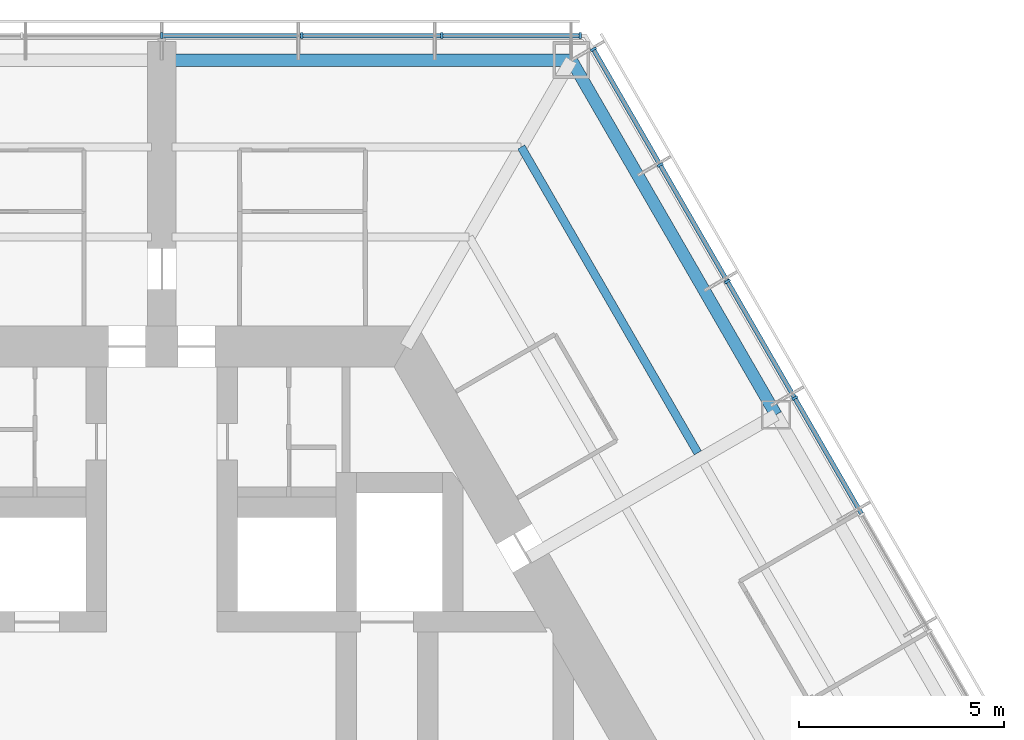
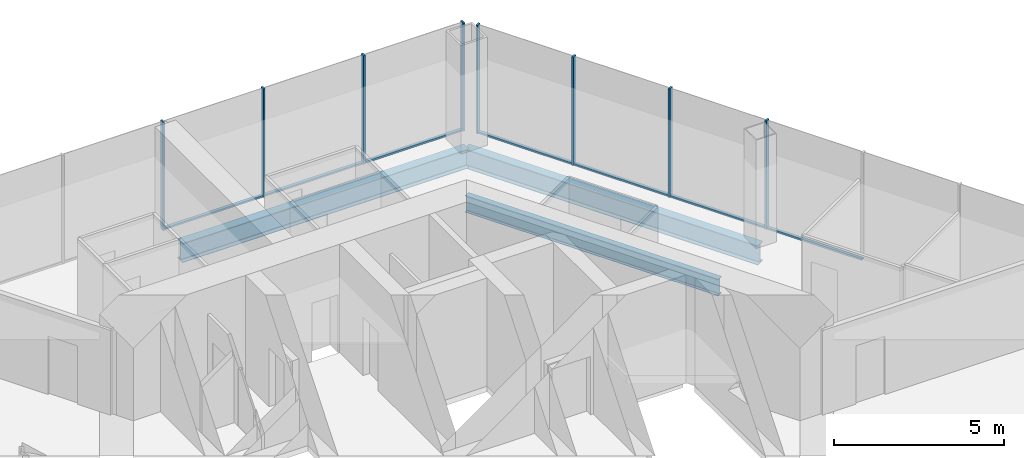
# One storey, part 8 of 18: 15 members, 3 beams, 2 elements without a shape of their own.
"""IFC4 building model written with IfcOpenShell, lengths in metres."""

from ifc_helpers import new_model, si_unit, direction, frame, origin, origin_2d, place, context, subcontext, project, spatial, rectangle, i_section, extrude, material, material_profile, profile_set, type_object, element, aggregate, save


model = new_model("IFC4")

# Units and contexts
model_context = context("Model", 3, precision=1e-05, world=origin(), true_north=direction((0.0, 1.0)))
body_context = subcontext(model_context, "Body", "Model", "MODEL_VIEW")
ifc_project = project(units=[si_unit("LENGTHUNIT", "METRE"), si_unit("AREAUNIT", "SQUARE_METRE"), si_unit("VOLUMEUNIT", "CUBIC_METRE"), si_unit("PLANEANGLEUNIT", "RADIAN"), si_unit("MASSUNIT", "GRAM", prefix="KILO")], contexts=[model_context])

# Site, building, storey
site_placement = place(None, origin())
site = spatial("IfcSite", under=ifc_project, at=site_placement, CompositionType="ELEMENT")
building_placement = place(site_placement, origin())
building = spatial("IfcBuilding", under=site, at=building_placement, Name="Kasaneha Research Tower", CompositionType="ELEMENT")
storey_placement = place(building_placement, frame((0.0, 0.0, 133.10009765625)))
storey = spatial("IfcBuildingStorey", under=building, at=storey_placement, Name="L33", CompositionType="ELEMENT", Elevation=133.10009765625)

# Beam
ifc_material_1 = material(Name="Steel SN490B", Category="steel")
ifc_material_profile_1 = material_profile(ifc_material_1, i_section(OverallWidth=0.199951171875, OverallDepth=0.60009765625, WebThickness=0.010986328125, FlangeThickness=0.01708984375, FilletRadius=0.012939453125, at=origin_2d()), Name="H-600x200x11x17")
ifc_profile_set_1 = profile_set([ifc_material_profile_1], Name="Steel SN490B")
beam_type_1 = type_object("IfcBeamType", Name="B1-3 secondary beam H-600x200x11x17", PredefinedType="JOIST", material=ifc_profile_set_1)
beam_1_placement = place(storey_placement, frame((8.775634765625, 15.199951171875, -0.4501953125), z_axis=(0.500017275495, -0.866015429543, 0.0), x_axis=(0.866015429543, 0.500017275495, 0.0)))
element("IfcBeam", 1, at=beam_1_placement, inside=storey, type_object=beam_type_1, Name="Secondary beam RS030R2 L33", PredefinedType="JOIST", context=body_context, shape_type="SweptSolid", body=[
    extrude(i_section(OverallWidth=0.199951171875, OverallDepth=0.60009765625, WebThickness=0.010986328125, FlangeThickness=0.01708984375, FilletRadius=0.012939453125, at=origin_2d()), origin(), (0.0, 0.0, 1.0), 8.625732421875),
])

# Curtain wall, members
ifc_material_2 = material(Name="Glass and aluminium", Category="aluminium")
curtain_wall_type = type_object("IfcCurtainWallType", Name="Mid-rise office curtain wall", PredefinedType="USERDEFINED", material=ifc_material_2)
curtain_wall_1_placement = place(storey_placement, origin())
curtain_wall_1 = element("IfcCurtainWall", 2, at=curtain_wall_1_placement, inside=storey, type_object=curtain_wall_type, Name="CW-O2 L33 run 06a", ObjectType="UNITISED CURTAIN WALL", PredefinedType="USERDEFINED")
ifc_material_3 = material(Name="Aluminium 6063-T6", Category="aluminium")
ifc_material_profile_2 = material_profile(ifc_material_3, rectangle(XDim=0.06005859375, YDim=0.14990234375, at=origin_2d()), Name="CW-O2 mullion 60x150")
ifc_profile_set_2 = profile_set([ifc_material_profile_2], Name="Aluminium 6063-T6")
member_type_1 = type_object("IfcMemberType", Name="CW-O2 mullion", PredefinedType="MULLION", material=ifc_profile_set_2)
member_1_placement = place(storey_placement, frame((15.45703125, 9.068603515625, 0.0), z_axis=(0.0, 0.0, 1.0), x_axis=(-0.499999979232, 0.866025415775, 0.0)))
member_1 = element("IfcMember", 3, at=member_1_placement, type_object=member_type_1, Name="CW-O2 mullion 4", PredefinedType="MULLION", context=body_context, shape_type="SweptSolid", body=[
    extrude(rectangle(XDim=0.06005859375, YDim=0.14990234375, at=origin_2d()), origin(), (0.0, 0.0, 1.0), 3.89990234375),
])
member_2_placement = place(storey_placement, frame((13.81298828125, 11.916015625, 0.0), z_axis=(0.0, 0.0, 1.0), x_axis=(-0.499999979232, 0.866025415775, 0.0)))
member_2 = element("IfcMember", 4, at=member_2_placement, type_object=member_type_1, Name="CW-O2 mullion 5", PredefinedType="MULLION", context=body_context, shape_type="SweptSolid", body=[
    extrude(rectangle(XDim=0.06005859375, YDim=0.14990234375, at=origin_2d()), origin(), (0.0, 0.0, 1.0), 3.89990234375),
])
member_3_placement = place(storey_placement, frame((12.1689453125, 14.763671875, 0.0), z_axis=(0.0, 0.0, 1.0), x_axis=(-0.499999979232, 0.866025415775, 0.0)))
member_3 = element("IfcMember", 5, at=member_3_placement, type_object=member_type_1, Name="CW-O2 mullion 6", PredefinedType="MULLION", context=body_context, shape_type="SweptSolid", body=[
    extrude(rectangle(XDim=0.06005859375, YDim=0.14990234375, at=origin_2d()), origin(), (0.0, 0.0, 1.0), 3.89990234375),
])
member_4_placement = place(storey_placement, frame((10.5400390625, 17.585205078125, 0.0), z_axis=(0.0, 0.0, 1.0), x_axis=(-0.499999979232, 0.866025415775, 0.0)))
member_4 = element("IfcMember", 6, at=member_4_placement, type_object=member_type_1, Name="CW-O2 mullion 7", PredefinedType="MULLION", context=body_context, shape_type="SweptSolid", body=[
    extrude(rectangle(XDim=0.06005859375, YDim=0.14990234375, at=origin_2d()), origin(), (0.0, 0.0, 1.0), 3.89990234375),
])

curtain_wall_2_placement = place(storey_placement, origin())
curtain_wall_2 = element("IfcCurtainWall", 7, at=curtain_wall_2_placement, inside=storey, type_object=curtain_wall_type, Name="CW-O2 L33 run 07a", ObjectType="UNITISED CURTAIN WALL", PredefinedType="USERDEFINED")
member_5_placement = place(storey_placement, frame((10.21630859375, 17.92041015625, 0.0), z_axis=(0.0, 0.0, 1.0), x_axis=(-1.0, 0.0, 0.0)))
member_5 = element("IfcMember", 8, at=member_5_placement, type_object=member_type_1, Name="CW-O2 mullion 1", PredefinedType="MULLION", context=body_context, shape_type="SweptSolid", body=[
    extrude(rectangle(XDim=0.06005859375, YDim=0.14990234375, at=origin_2d()), origin(), (0.0, 0.0, 1.0), 3.89990234375),
])
member_6_placement = place(storey_placement, frame((6.8310546875, 17.92041015625, 0.0), z_axis=(0.0, 0.0, 1.0), x_axis=(-1.0, 0.0, 0.0)))
member_6 = element("IfcMember", 9, at=member_6_placement, type_object=member_type_1, Name="CW-O2 mullion 2", PredefinedType="MULLION", context=body_context, shape_type="SweptSolid", body=[
    extrude(rectangle(XDim=0.06005859375, YDim=0.14990234375, at=origin_2d()), origin(), (0.0, 0.0, 1.0), 3.89990234375),
])
member_7_placement = place(storey_placement, frame((3.41552734375, 17.92041015625, 0.0), z_axis=(0.0, 0.0, 1.0), x_axis=(-1.0, 0.0, 0.0)))
member_7 = element("IfcMember", 10, at=member_7_placement, type_object=member_type_1, Name="CW-O2 mullion 3", PredefinedType="MULLION", context=body_context, shape_type="SweptSolid", body=[
    extrude(rectangle(XDim=0.06005859375, YDim=0.14990234375, at=origin_2d()), origin(), (0.0, 0.0, 1.0), 3.89990234375),
])
member_8_placement = place(storey_placement, frame((0.0, 17.92041015625, 0.0), z_axis=(0.0, 0.0, 1.0), x_axis=(-1.0, 0.0, 0.0)))
member_8 = element("IfcMember", 11, at=member_8_placement, type_object=member_type_1, Name="CW-O2 mullion 4", PredefinedType="MULLION", context=body_context, shape_type="SweptSolid", body=[
    extrude(rectangle(XDim=0.06005859375, YDim=0.14990234375, at=origin_2d()), origin(), (0.0, 0.0, 1.0), 3.89990234375),
])

# Member
ifc_material_4 = material(Name="Aluminium 6063-T6", Category="aluminium")
ifc_material_profile_3 = material_profile(ifc_material_4, rectangle(XDim=0.110107421875, YDim=0.06005859375, at=origin_2d()), Name="CW-O2 transom 110x60")
ifc_profile_set_3 = profile_set([ifc_material_profile_3], Name="Aluminium 6063-T6")
member_type_2 = type_object("IfcMemberType", Name="CW-O2 transom", PredefinedType="USERDEFINED", material=ifc_profile_set_3)
member_9_placement = place(storey_placement, frame((17.086181640625, 6.2470703125, 0.02978515625), z_axis=(-0.500019253631, 0.86601428741, 0.0), x_axis=(-0.86601428741, -0.500019253631, 0.0)))
member_9 = element("IfcMember", 12, at=member_9_placement, type_object=member_type_2, Name="CW-O2 transom 3", ObjectType="TRANSOM", PredefinedType="USERDEFINED", context=body_context, shape_type="SweptSolid", body=[
    extrude(rectangle(XDim=0.110107421875, YDim=0.06005859375, at=origin_2d()), origin(), (0.0, 0.0, 1.0), 3.227783203125),
])

member_10_placement = place(storey_placement, frame((15.442138671875, 9.094482421875, 0.02978515625), z_axis=(-0.499986503906, 0.866033195618, 0.0), x_axis=(-0.866033195618, -0.499986503906, 0.0)))
member_10 = element("IfcMember", 13, at=member_10_placement, type_object=member_type_2, Name="CW-O2 transom 4", ObjectType="TRANSOM", PredefinedType="USERDEFINED", context=body_context, shape_type="SweptSolid", body=[
    extrude(rectangle(XDim=0.110107421875, YDim=0.06005859375, at=origin_2d()), origin(), (0.0, 0.0, 1.0), 3.22802734375),
])

member_11_placement = place(storey_placement, frame((13.798095703125, 11.942138671875, 0.02978515625), z_axis=(-0.499986503906, 0.866033195618, 0.0), x_axis=(-0.866033195618, -0.499986503906, 0.0)))
member_11 = element("IfcMember", 14, at=member_11_placement, type_object=member_type_2, Name="CW-O2 transom 5", ObjectType="TRANSOM", PredefinedType="USERDEFINED", context=body_context, shape_type="SweptSolid", body=[
    extrude(rectangle(XDim=0.110107421875, YDim=0.06005859375, at=origin_2d()), origin(), (0.0, 0.0, 1.0), 3.22802734375),
])

member_12_placement = place(storey_placement, frame((12.154052734375, 14.789794921875, 0.02978515625), z_axis=(-0.500030834389, 0.86600760081, 0.0), x_axis=(-0.86600760081, -0.500030834389, 0.0)))
member_12 = element("IfcMember", 15, at=member_12_placement, type_object=member_type_2, Name="CW-O2 transom 6", ObjectType="TRANSOM", PredefinedType="USERDEFINED", context=body_context, shape_type="SweptSolid", body=[
    extrude(rectangle(XDim=0.110107421875, YDim=0.06005859375, at=origin_2d()), origin(), (0.0, 0.0, 1.0), 3.197998046875),
])

aggregate(curtain_wall_1, [member_1, member_2, member_3, member_4, member_9, member_10, member_11, member_12])

member_13_placement = place(storey_placement, frame((10.1865234375, 17.92041015625, 0.02978515625), z_axis=(-1.0, 0.0, 0.0), x_axis=(0.0, -1.0, 0.0)))
member_13 = element("IfcMember", 16, at=member_13_placement, type_object=member_type_2, Name="CW-O2 transom 1", ObjectType="TRANSOM", PredefinedType="USERDEFINED", context=body_context, shape_type="SweptSolid", body=[
    extrude(rectangle(XDim=0.110107421875, YDim=0.06005859375, at=origin_2d()), origin(), (0.0, 0.0, 1.0), 3.32568359375),
])

member_14_placement = place(storey_placement, frame((6.801025390625, 17.92041015625, 0.02978515625), z_axis=(-1.0, 0.0, 0.0), x_axis=(0.0, -1.0, 0.0)))
member_14 = element("IfcMember", 17, at=member_14_placement, type_object=member_type_2, Name="CW-O2 transom 2", ObjectType="TRANSOM", PredefinedType="USERDEFINED", context=body_context, shape_type="SweptSolid", body=[
    extrude(rectangle(XDim=0.110107421875, YDim=0.06005859375, at=origin_2d()), origin(), (0.0, 0.0, 1.0), 3.35546875),
])

member_15_placement = place(storey_placement, frame((3.385498046875, 17.92041015625, 0.02978515625), z_axis=(-1.0, 0.0, 0.0), x_axis=(0.0, -1.0, 0.0)))
member_15 = element("IfcMember", 18, at=member_15_placement, type_object=member_type_2, Name="CW-O2 transom 3", ObjectType="TRANSOM", PredefinedType="USERDEFINED", context=body_context, shape_type="SweptSolid", body=[
    extrude(rectangle(XDim=0.110107421875, YDim=0.06005859375, at=origin_2d()), origin(), (0.0, 0.0, 1.0), 3.35546875),
])

aggregate(curtain_wall_2, [member_5, member_6, member_7, member_8, member_13, member_14, member_15])

# Beams
ifc_material_5 = material(Name="Steel SN490B", Category="steel")
ifc_material_profile_4 = material_profile(ifc_material_5, i_section(OverallWidth=0.300048828125, OverallDepth=0.69189453125, WebThickness=0.012939453125, FlangeThickness=0.02001953125, FilletRadius=0.01806640625, at=origin_2d()), Name="H-692x300x13x20")
ifc_profile_set_4 = profile_set([ifc_material_profile_4], Name="Steel SN490B")
beam_type_2 = type_object("IfcBeamType", Name="G3-3 plate edge girder H-692x300x13x20", PredefinedType="BEAM", material=ifc_profile_set_4)
beam_2_placement = place(storey_placement, frame((10.0, 17.320556640625, -0.49609375), z_axis=(-1.0, 0.0, 0.0), x_axis=(0.0, -1.0, 0.0)))
element("IfcBeam", 19, at=beam_2_placement, inside=storey, type_object=beam_type_2, Name="Plate edge girder PEAP L33", PredefinedType="BEAM", context=body_context, shape_type="SweptSolid", body=[
    extrude(i_section(OverallWidth=0.300048828125, OverallDepth=0.69189453125, WebThickness=0.012939453125, FlangeThickness=0.02001953125, FilletRadius=0.01806640625, at=origin_2d()), origin(), (0.0, 0.0, 1.0), 9.75),
])
ifc_material_6 = material(Name="Steel SN490B", Category="steel")
ifc_material_profile_5 = material_profile(ifc_material_6, i_section(OverallWidth=0.300048828125, OverallDepth=0.69189453125, WebThickness=0.012939453125, FlangeThickness=0.02001953125, FilletRadius=0.01806640625, at=origin_2d()), Name="H-692x300x13x20")
ifc_profile_set_5 = profile_set([ifc_material_profile_5], Name="Steel SN490B")
beam_type_3 = type_object("IfcBeamType", Name="SB1-3 spandrel beam H-692x300x13x20", PredefinedType="SPANDREL", material=ifc_profile_set_5)
beam_3_placement = place(storey_placement, frame((10.0, 17.320556640625, -0.49609375), z_axis=(0.499993662806, -0.866029062534, 0.0), x_axis=(0.866029062534, 0.499993662806, 0.0)))
element("IfcBeam", 20, at=beam_3_placement, inside=storey, type_object=beam_type_3, Name="Spandrel beam SR030R L33", PredefinedType="SPANDREL", context=body_context, shape_type="SweptSolid", body=[
    extrude(i_section(OverallWidth=0.300048828125, OverallDepth=0.69189453125, WebThickness=0.012939453125, FlangeThickness=0.02001953125, FilletRadius=0.01806640625, at=origin_2d()), origin(), (0.0, 0.0, 1.0), 10.000244140625),
])

save(model, "model.ifc")
